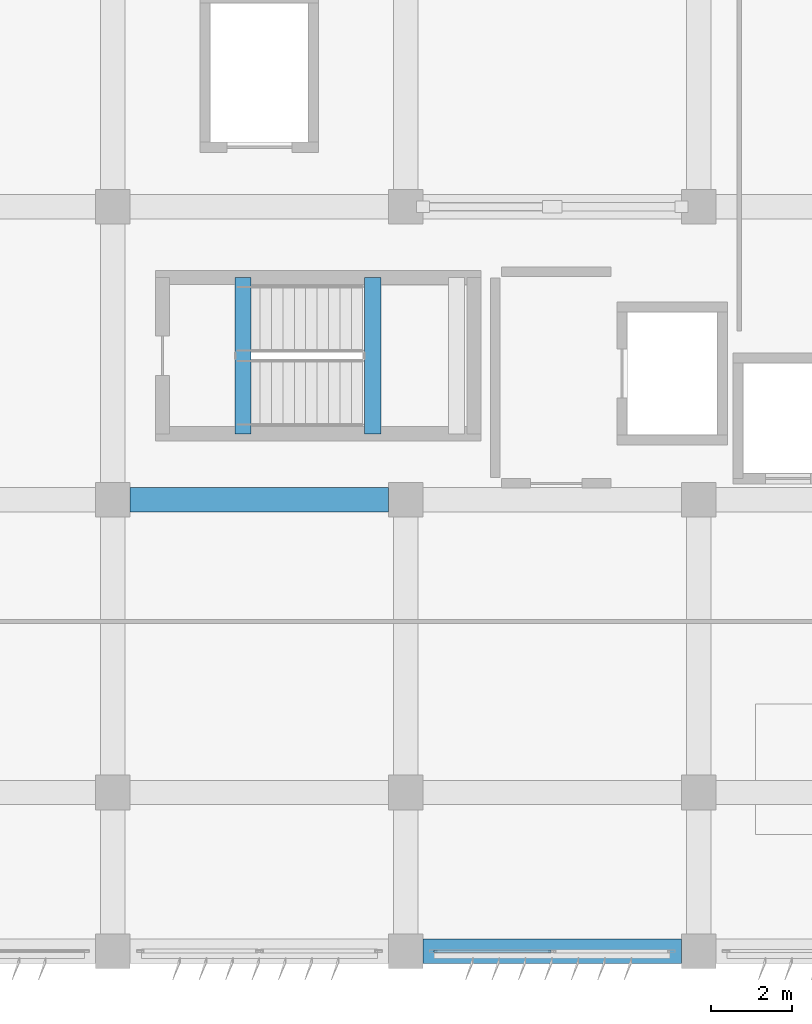
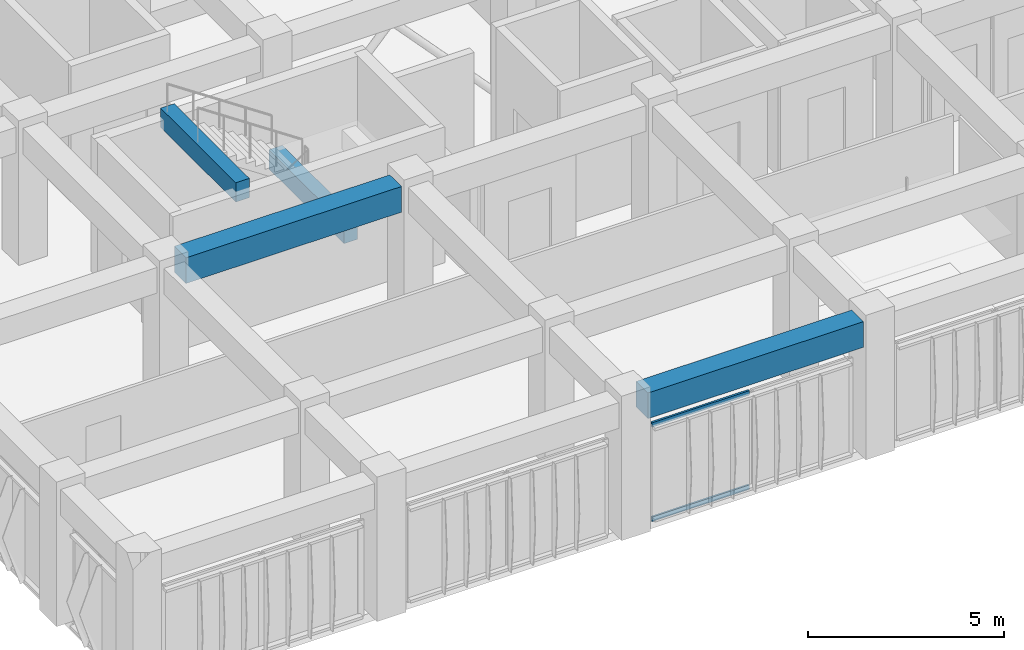
# One storey, part 5 of 48: 4 beams, 2 members, 1 element without a shape of its own.
"""IFC4 building model written with IfcOpenShell, lengths in metres."""

from ifc_helpers import new_model, si_unit, direction, frame, origin, origin_2d, place, context, subcontext, project, spatial, rectangle, hollow_rectangle, extrude, material, material_profile, profile_set, type_object, element, aggregate, save


model = new_model("IFC4")

# Units and contexts
model_context = context("Model", 3, precision=1e-05, world=origin(), true_north=direction((0.0, 1.0)))
body_context = subcontext(model_context, "Body", "Model", "MODEL_VIEW")
ifc_project = project(units=[si_unit("LENGTHUNIT", "METRE"), si_unit("AREAUNIT", "SQUARE_METRE"), si_unit("VOLUMEUNIT", "CUBIC_METRE"), si_unit("PLANEANGLEUNIT", "RADIAN"), si_unit("MASSUNIT", "GRAM", prefix="KILO")], contexts=[model_context])

# Site, building, storey
site_placement = place(None, origin())
site = spatial("IfcSite", under=ifc_project, at=site_placement, CompositionType="ELEMENT")
building_placement = place(site_placement, origin())
building = spatial("IfcBuilding", under=site, at=building_placement, Name="Kazehaya Institute of Natural Sciences", CompositionType="ELEMENT")
storey_placement = place(building_placement, frame((0.0, 0.0, 19.800048828125)))
storey = spatial("IfcBuildingStorey", under=building, at=storey_placement, Name="L04", CompositionType="ELEMENT", Elevation=19.800048828125)

# Beams
ifc_material_1 = material(Name="Concrete Fc36", Category="concrete")
ifc_material_profile_1 = material_profile(ifc_material_1, rectangle(XDim=0.39990234375, YDim=0.60009765625, at=origin_2d()), Name="RC-400x600")
ifc_profile_set_1 = profile_set([ifc_material_profile_1], Name="Concrete Fc36")
beam_type_1 = type_object("IfcBeamType", Name="BM-B-400x600", PredefinedType="BEAM", material=ifc_profile_set_1)
for number, where, z_axis, x_axis, name in (
    (1, (65.0, 22.820068359375, 4.199951171875), (0.0, 1.0, 0.0), (-1.0, 0.0, 0.0), "L05 ST-1 stair header trimmer beam"),
    (2, (68.18994140625, 22.820068359375, 1.7900390625), (0.0, 1.0, 0.0), (-1.0, 0.0, 0.0), "L04 ST-1 landing beam 1"),
):
    element("IfcBeam", number, at=place(storey_placement, frame(where, z_axis=z_axis, x_axis=x_axis)), inside=storey, type_object=beam_type_1, Name=name, PredefinedType="BEAM", context=body_context, shape_type="SweptSolid", body=[
        extrude(rectangle(XDim=0.39990234375, YDim=0.60009765625, at=origin_2d()), origin(), (0.0, 0.0, 1.0), 3.83984375),
    ])
ifc_material_profile_2 = material_profile(ifc_material_1, rectangle(XDim=0.60009765625, YDim=0.800048828125, at=origin_2d()), Name="RC-600x800")
ifc_profile_set_2 = profile_set([ifc_material_profile_2], Name="Concrete Fc36")
beam_type_2 = type_object("IfcBeamType", Name="BM-G-600x800", PredefinedType="BEAM", material=ifc_profile_set_2)
for number, where, z_axis, x_axis, name in (
    (3, (69.425048828125, 10.10009765625, 3.829833984375), (1.0, 0.0, 0.0), (0.0, 1.0, 0.0), "L04 primary X girder BMX-L04-690-101"),
    (4, (62.22509765625, 21.199951171875, 3.829833984375), (1.0, 0.0, 0.0), (0.0, 1.0, 0.0), "L04 primary X girder BMX-L04-618-212"),
):
    element("IfcBeam", number, at=place(storey_placement, frame(where, z_axis=z_axis, x_axis=x_axis)), inside=storey, type_object=beam_type_2, Name=name, PredefinedType="BEAM", context=body_context, shape_type="SweptSolid", body=[
        extrude(rectangle(XDim=0.60009765625, YDim=0.800048828125, at=origin_2d()), origin(), (0.0, 0.0, 1.0), 6.349853515625),
    ])

# Curtain wall, members
ifc_material_2 = material(Name="Aluminium alloy A6063S-T5", Category="aluminium")
curtain_wall_type = type_object("IfcCurtainWallType", Name="CW-SYS-04", PredefinedType="NOTDEFINED", material=ifc_material_2)
curtain_wall_placement = place(storey_placement, origin())
curtain_wall = element("IfcCurtainWall", 5, at=curtain_wall_placement, inside=storey, type_object=curtain_wall_type, Name="L04 unitised curtain wall CW-L04-081", PredefinedType="NOTDEFINED")
ifc_material_profile_3 = material_profile(ifc_material_2, hollow_rectangle(XDim=0.06005859375, YDim=0.139892578125, WallThickness=0.00341796875, at=origin_2d()), Name="ALU-60x140x3.5")
ifc_profile_set_3 = profile_set([ifc_material_profile_3], Name="Aluminium alloy A6063S-T5")
member_type = type_object("IfcMemberType", Name="CWT-140", PredefinedType="USERDEFINED", material=ifc_profile_set_3)
member_1_placement = place(storey_placement, frame((72.570068359375, 10.10009765625, 0.030029296875), z_axis=(-1.0, 0.0, 0.0), x_axis=(0.0, -1.0, 0.0)))
member_1 = element("IfcMember", 6, at=member_1_placement, type_object=member_type, Name="CW04 transom 2.1", ObjectType="TRANSOM", PredefinedType="USERDEFINED", context=body_context, shape_type="SweptSolid", body=[
    extrude(hollow_rectangle(XDim=0.06005859375, YDim=0.139892578125, WallThickness=0.00341796875, at=origin_2d()), origin(), (0.0, 0.0, 1.0), 2.8701171875),
])
member_2_placement = place(storey_placement, frame((72.570068359375, 10.10009765625, 2.969970703125), z_axis=(-1.0, 0.0, 0.0), x_axis=(0.0, -1.0, 0.0)))
member_2 = element("IfcMember", 7, at=member_2_placement, type_object=member_type, Name="CW04 transom 2.2", ObjectType="TRANSOM", PredefinedType="USERDEFINED", context=body_context, shape_type="SweptSolid", body=[
    extrude(hollow_rectangle(XDim=0.06005859375, YDim=0.139892578125, WallThickness=0.00341796875, at=origin_2d()), origin(), (0.0, 0.0, 1.0), 2.8701171875),
])
aggregate(curtain_wall, [member_1, member_2])

save(model, "model.ifc")
